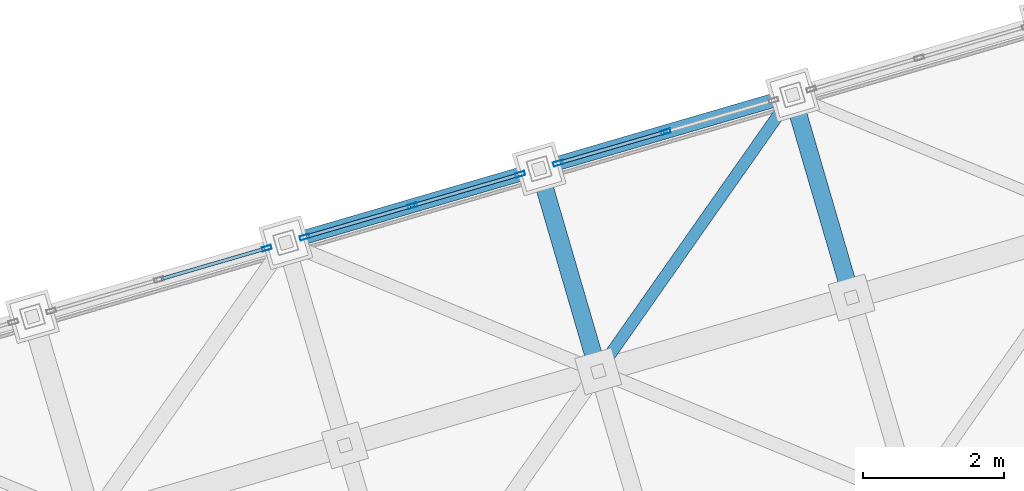
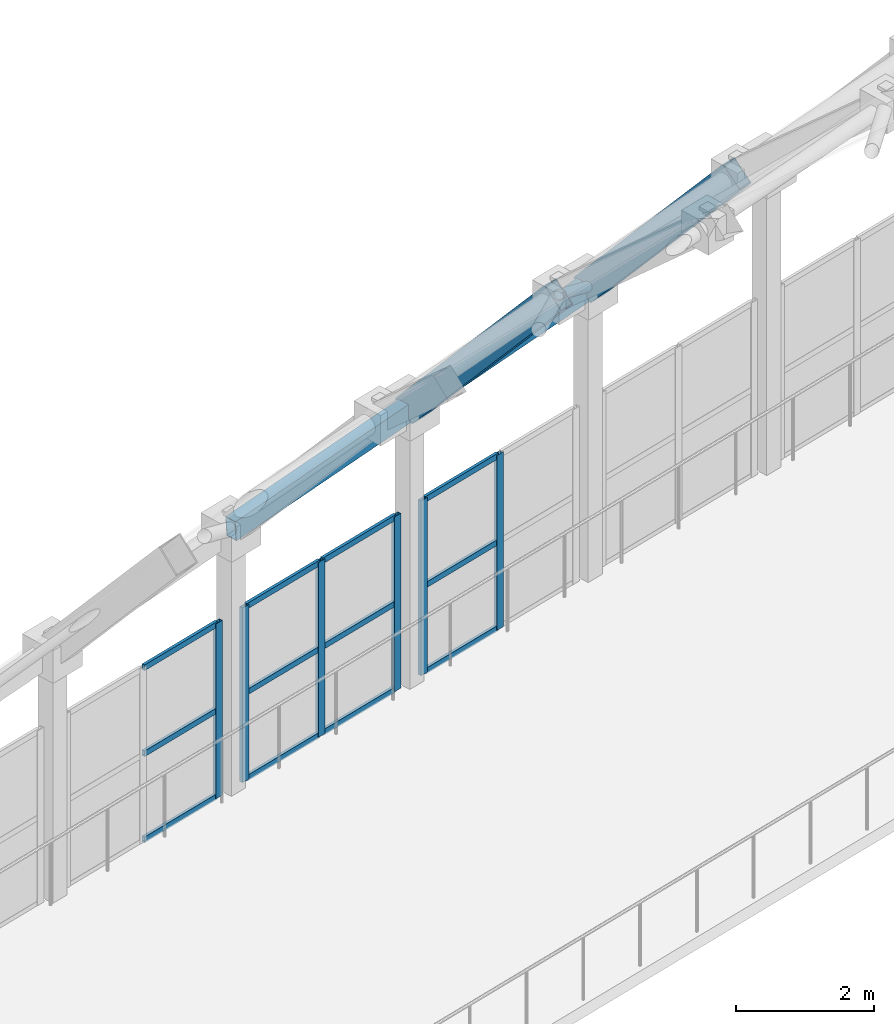
# One storey, part 112 of 248: 19 members, 4 beams, 3 elements without a shape of their own.
"""IFC4 building model written with IfcOpenShell, lengths in metres."""

from ifc_helpers import new_model, si_unit, direction, frame, origin, origin_2d, place, context, subcontext, project, spatial, hollow_rectangle, hollow_circle, extrude, material, layer, layer_set, material_profile, profile_set, type_object, element, aggregate, save


model = new_model("IFC4")

# Units and contexts
model_context = context("Model", 3, precision=1e-05, world=origin(), true_north=direction((0.0, 1.0)))
body_context = subcontext(model_context, "Body", "Model", "MODEL_VIEW")
ifc_project = project(units=[si_unit("LENGTHUNIT", "METRE"), si_unit("AREAUNIT", "SQUARE_METRE"), si_unit("VOLUMEUNIT", "CUBIC_METRE"), si_unit("PLANEANGLEUNIT", "RADIAN"), si_unit("MASSUNIT", "GRAM", prefix="KILO")], contexts=[model_context])

# Site, building, storey
site_placement = place(None, origin())
site = spatial("IfcSite", under=ifc_project, at=site_placement, CompositionType="ELEMENT")
building_placement = place(site_placement, origin())
building = spatial("IfcBuilding", under=site, at=building_placement, Name="Canggui Botanical Conservatory", CompositionType="ELEMENT")
storey_placement = place(building_placement, frame((0.0, 0.0, 5.39990234375)))
storey = spatial("IfcBuildingStorey", under=building, at=storey_placement, Name="L02", CompositionType="ELEMENT", Elevation=5.39990234375)

# Beams
ifc_material_1 = material(Name="Steel Q355C", Category="steel")
ifc_material_profile_1 = material_profile(ifc_material_1, hollow_rectangle(XDim=0.25, YDim=0.449951171875, WallThickness=0.013916015625, at=origin_2d()), Name="RHS 250x450x14")
ifc_profile_set_1 = profile_set([ifc_material_profile_1], Name="Steel Q355C")
beam_type_1 = type_object("IfcBeamType", Name="BM-GJ02", PredefinedType="BEAM", material=ifc_profile_set_1)
for number, where, z_axis, x_axis, name in (
    (1, (30.43994140625, 73.169921875, 8.30615234375), (-0.183510350266, 0.62932314014, -0.755166429755), (-0.960017315421, -0.279940626011, 0.0), "Conservatory Stepped-Arch Rib GJ-06 Segment 10"),
    (2, (34.0400390625, 74.219970703125, 8.55615234375), (-0.183561899057, 0.629316978545, -0.755159036051), (-0.959995442804, -0.2800156242, 0.0), "Conservatory Stepped-Arch Rib GJ-07 Segment 10"),
):
    element("IfcBeam", number, at=place(storey_placement, frame(where, z_axis=z_axis, x_axis=x_axis)), inside=storey, type_object=beam_type_1, Name=name, PredefinedType="BEAM", context=body_context, shape_type="SweptSolid", body=[
        extrude(hollow_rectangle(XDim=0.25, YDim=0.449951171875, WallThickness=0.013916015625, at=origin_2d()), origin(), (0.0, 0.0, 1.0), 4.57666015625),
    ])
ifc_material_profile_2 = material_profile(ifc_material_1, hollow_rectangle(XDim=0.199951171875, YDim=0.35009765625, WallThickness=0.011962890625, at=origin_2d()), Name="RHS 200x350x12")
ifc_profile_set_2 = profile_set([ifc_material_profile_2], Name="Steel Q355C")
beam_type_2 = type_object("IfcBeamType", Name="BM-RING01", PredefinedType="BEAM", material=ifc_profile_set_2)
beam_1_placement = place(storey_placement, frame((26.0, 75.0, 4.60009765625), z_axis=(0.957872417874, 0.27938486839, 0.066517113516), x_axis=(-0.280004999853, 0.959998541695, 0.0)))
element("IfcBeam", 3, at=beam_1_placement, inside=storey, type_object=beam_type_2, Name="Conservatory Perimeter Ring Beam V1-05", PredefinedType="BEAM", context=body_context, shape_type="SweptSolid", body=[
    extrude(hollow_rectangle(XDim=0.199951171875, YDim=0.35009765625, WallThickness=0.011962890625, at=origin_2d()), origin(), (0.0, 0.0, 1.0), 3.758544921875),
])
beam_2_placement = place(storey_placement, frame((29.60009765625, 76.050048828125, 4.85009765625), z_axis=(0.957867059601, 0.279402253194, 0.066521252562), x_axis=(-0.280022500685, 0.959993437014, 0.0)))
element("IfcBeam", 4, at=beam_2_placement, inside=storey, type_object=beam_type_2, Name="Conservatory Perimeter Ring Beam V1-06", PredefinedType="BEAM", context=body_context, shape_type="SweptSolid", body=[
    extrude(hollow_rectangle(XDim=0.199951171875, YDim=0.35009765625, WallThickness=0.011962890625, at=origin_2d()), origin(), (0.0, 0.0, 1.0), 3.75830078125),
])

# Curtain wall, member
ifc_material_2 = material(Name="Thermally Broken Aluminium", Category="aluminium")
ifc_layer = layer(ifc_material_2, 0.135009765625, Name="Thermally Broken Aluminium", Category="aluminium")
ifc_layer_set = layer_set([ifc_layer], Name="Thermally Broken Aluminium")
curtain_wall_type = type_object("IfcCurtainWallType", Name="CW-STICK-A", PredefinedType="USERDEFINED", material=ifc_layer_set)
curtain_wall_1_placement = place(storey_placement, origin())
curtain_wall_1 = element("IfcCurtainWall", 5, at=curtain_wall_1_placement, inside=storey, type_object=curtain_wall_type, Name="Facade Curtain Wall CW-CONS-L02-V1-04", ObjectType="STICK GLAZED WALL", PredefinedType="USERDEFINED")
ifc_material_profile_3 = material_profile(ifc_material_2, hollow_rectangle(XDim=0.06005859375, YDim=0.135009765625, WallThickness=0.00341796875, at=origin_2d()), Name="CWM 60x135x3.5")
ifc_profile_set_3 = profile_set([ifc_material_profile_3], Name="Thermally Broken Aluminium")
member_type_1 = type_object("IfcMemberType", Name="CWM-04", PredefinedType="MULLION", material=ifc_profile_set_3)
member_1_placement = place(storey_placement, frame((25.731201171875, 74.921630859375, 0.0), z_axis=(0.0, 0.0, 1.0), x_axis=(-0.279999999995, 0.960000000002, 0.0)))
member_1 = element("IfcMember", 6, at=member_1_placement, type_object=member_type_1, Name="CW-04 mullion 3", PredefinedType="MULLION", context=body_context, shape_type="SweptSolid", body=[
    extrude(hollow_rectangle(XDim=0.06005859375, YDim=0.135009765625, WallThickness=0.00341796875, at=origin_2d()), origin(), (0.0, 0.0, 1.0), 3.10009765625),
])

# Curtain wall, members
curtain_wall_2_placement = place(storey_placement, origin())
curtain_wall_2 = element("IfcCurtainWall", 7, at=curtain_wall_2_placement, inside=storey, type_object=curtain_wall_type, Name="Facade Curtain Wall CW-CONS-L02-V1-05", ObjectType="STICK GLAZED WALL", PredefinedType="USERDEFINED")
member_2_placement = place(storey_placement, frame((26.268798828125, 75.078369140625, 0.0), z_axis=(0.0, 0.0, 1.0), x_axis=(-0.279999999995, 0.960000000002, 0.0)))
member_2 = element("IfcMember", 8, at=member_2_placement, type_object=member_type_1, Name="CW-04 mullion 1", PredefinedType="MULLION", context=body_context, shape_type="SweptSolid", body=[
    extrude(hollow_rectangle(XDim=0.06005859375, YDim=0.135009765625, WallThickness=0.00341796875, at=origin_2d()), origin(), (0.0, 0.0, 1.0), 3.10009765625),
])
member_3_placement = place(storey_placement, frame((27.800048828125, 75.52490234375, 0.0), z_axis=(0.0, 0.0, 1.0), x_axis=(-0.279999999995, 0.960000000002, 0.0)))
member_3 = element("IfcMember", 9, at=member_3_placement, type_object=member_type_1, Name="CW-04 mullion 2", PredefinedType="MULLION", context=body_context, shape_type="SweptSolid", body=[
    extrude(hollow_rectangle(XDim=0.06005859375, YDim=0.135009765625, WallThickness=0.00341796875, at=origin_2d()), origin(), (0.0, 0.0, 1.0), 3.10009765625),
])
member_4_placement = place(storey_placement, frame((29.331298828125, 75.9716796875, 0.0), z_axis=(0.0, 0.0, 1.0), x_axis=(-0.279999999995, 0.960000000002, 0.0)))
member_4 = element("IfcMember", 10, at=member_4_placement, type_object=member_type_1, Name="CW-04 mullion 3", PredefinedType="MULLION", context=body_context, shape_type="SweptSolid", body=[
    extrude(hollow_rectangle(XDim=0.06005859375, YDim=0.135009765625, WallThickness=0.00341796875, at=origin_2d()), origin(), (0.0, 0.0, 1.0), 3.10009765625),
])

curtain_wall_3_placement = place(storey_placement, origin())
curtain_wall_3 = element("IfcCurtainWall", 11, at=curtain_wall_3_placement, inside=storey, type_object=curtain_wall_type, Name="Facade Curtain Wall CW-CONS-L02-V1-06", ObjectType="STICK GLAZED WALL", PredefinedType="USERDEFINED")
member_5_placement = place(storey_placement, frame((29.868896484375, 76.12841796875, 0.0), z_axis=(0.0, 0.0, 1.0), x_axis=(-0.279999999995, 0.960000000002, 0.0)))
member_5 = element("IfcMember", 12, at=member_5_placement, type_object=member_type_1, Name="CW-04 mullion 1", PredefinedType="MULLION", context=body_context, shape_type="SweptSolid", body=[
    extrude(hollow_rectangle(XDim=0.06005859375, YDim=0.135009765625, WallThickness=0.00341796875, at=origin_2d()), origin(), (0.0, 0.0, 1.0), 3.10009765625),
])
member_6_placement = place(storey_placement, frame((31.39990234375, 76.574951171875, 0.0), z_axis=(0.0, 0.0, 1.0), x_axis=(-0.279999999995, 0.960000000002, 0.0)))
member_6 = element("IfcMember", 13, at=member_6_placement, type_object=member_type_1, Name="CW-04 mullion 2", PredefinedType="MULLION", context=body_context, shape_type="SweptSolid", body=[
    extrude(hollow_rectangle(XDim=0.06005859375, YDim=0.135009765625, WallThickness=0.00341796875, at=origin_2d()), origin(), (0.0, 0.0, 1.0), 3.10009765625),
])

# Member
ifc_material_profile_4 = material_profile(ifc_material_2, hollow_rectangle(XDim=0.050048828125, YDim=0.10009765625, WallThickness=0.0029296875, at=origin_2d()), Name="CWT 50x100x3")
ifc_profile_set_4 = profile_set([ifc_material_profile_4], Name="Thermally Broken Aluminium")
member_type_2 = type_object("IfcMemberType", Name="CWT-04", PredefinedType="USERDEFINED", material=ifc_profile_set_4)
member_7_placement = place(storey_placement, frame((24.228759765625, 74.4833984375, 0.025146484375), z_axis=(0.960021373424, 0.279926709282, 0.0), x_axis=(-0.279926709282, 0.960021373424, 0.0)))
member_7 = element("IfcMember", 14, at=member_7_placement, type_object=member_type_2, Name="CW-04 transom 2.1", ObjectType="TRANSOM", PredefinedType="USERDEFINED", context=body_context, shape_type="SweptSolid", body=[
    extrude(hollow_rectangle(XDim=0.050048828125, YDim=0.10009765625, WallThickness=0.0029296875, at=origin_2d()), origin(), (0.0, 0.0, 1.0), 1.534912109375),
])

member_8_placement = place(storey_placement, frame((24.228759765625, 74.4833984375, 1.550048828125), z_axis=(0.960021373424, 0.279926709282, 0.0), x_axis=(-0.279926709282, 0.960021373424, 0.0)))
member_8 = element("IfcMember", 15, at=member_8_placement, type_object=member_type_2, Name="CW-04 transom 2.2", ObjectType="TRANSOM", PredefinedType="USERDEFINED", context=body_context, shape_type="SweptSolid", body=[
    extrude(hollow_rectangle(XDim=0.050048828125, YDim=0.10009765625, WallThickness=0.0029296875, at=origin_2d()), origin(), (0.0, 0.0, 1.0), 1.534912109375),
])

member_9_placement = place(storey_placement, frame((24.228759765625, 74.4833984375, 3.0751953125), z_axis=(0.960021373424, 0.279926709282, 0.0), x_axis=(-0.279926709282, 0.960021373424, 0.0)))
member_9 = element("IfcMember", 16, at=member_9_placement, type_object=member_type_2, Name="CW-04 transom 2.3", ObjectType="TRANSOM", PredefinedType="USERDEFINED", context=body_context, shape_type="SweptSolid", body=[
    extrude(hollow_rectangle(XDim=0.050048828125, YDim=0.10009765625, WallThickness=0.0029296875, at=origin_2d()), origin(), (0.0, 0.0, 1.0), 1.534912109375),
])

aggregate(curtain_wall_1, [member_1, member_7, member_8, member_9])

member_10_placement = place(storey_placement, frame((26.297607421875, 75.0869140625, 0.025146484375), z_axis=(0.960021373424, 0.279926709282, 0.0), x_axis=(-0.279926709282, 0.960021373424, 0.0)))
member_10 = element("IfcMember", 17, at=member_10_placement, type_object=member_type_2, Name="CW-04 transom 1.1", ObjectType="TRANSOM", PredefinedType="USERDEFINED", context=body_context, shape_type="SweptSolid", body=[
    extrude(hollow_rectangle(XDim=0.050048828125, YDim=0.10009765625, WallThickness=0.0029296875, at=origin_2d()), origin(), (0.0, 0.0, 1.0), 1.534912109375),
])

member_11_placement = place(storey_placement, frame((26.297607421875, 75.0869140625, 1.550048828125), z_axis=(0.960021373424, 0.279926709282, 0.0), x_axis=(-0.279926709282, 0.960021373424, 0.0)))
member_11 = element("IfcMember", 18, at=member_11_placement, type_object=member_type_2, Name="CW-04 transom 1.2", ObjectType="TRANSOM", PredefinedType="USERDEFINED", context=body_context, shape_type="SweptSolid", body=[
    extrude(hollow_rectangle(XDim=0.050048828125, YDim=0.10009765625, WallThickness=0.0029296875, at=origin_2d()), origin(), (0.0, 0.0, 1.0), 1.534912109375),
])

member_12_placement = place(storey_placement, frame((26.297607421875, 75.0869140625, 3.0751953125), z_axis=(0.960021373424, 0.279926709282, 0.0), x_axis=(-0.279926709282, 0.960021373424, 0.0)))
member_12 = element("IfcMember", 19, at=member_12_placement, type_object=member_type_2, Name="CW-04 transom 1.3", ObjectType="TRANSOM", PredefinedType="USERDEFINED", context=body_context, shape_type="SweptSolid", body=[
    extrude(hollow_rectangle(XDim=0.050048828125, YDim=0.10009765625, WallThickness=0.0029296875, at=origin_2d()), origin(), (0.0, 0.0, 1.0), 1.534912109375),
])

member_13_placement = place(storey_placement, frame((27.828857421875, 75.533447265625, 0.025146484375), z_axis=(0.960021373424, 0.279926709282, 0.0), x_axis=(-0.279926709282, 0.960021373424, 0.0)))
member_13 = element("IfcMember", 20, at=member_13_placement, type_object=member_type_2, Name="CW-04 transom 2.1", ObjectType="TRANSOM", PredefinedType="USERDEFINED", context=body_context, shape_type="SweptSolid", body=[
    extrude(hollow_rectangle(XDim=0.050048828125, YDim=0.10009765625, WallThickness=0.0029296875, at=origin_2d()), origin(), (0.0, 0.0, 1.0), 1.534912109375),
])

member_14_placement = place(storey_placement, frame((27.828857421875, 75.533447265625, 1.550048828125), z_axis=(0.960021373424, 0.279926709282, 0.0), x_axis=(-0.279926709282, 0.960021373424, 0.0)))
member_14 = element("IfcMember", 21, at=member_14_placement, type_object=member_type_2, Name="CW-04 transom 2.2", ObjectType="TRANSOM", PredefinedType="USERDEFINED", context=body_context, shape_type="SweptSolid", body=[
    extrude(hollow_rectangle(XDim=0.050048828125, YDim=0.10009765625, WallThickness=0.0029296875, at=origin_2d()), origin(), (0.0, 0.0, 1.0), 1.534912109375),
])

member_15_placement = place(storey_placement, frame((27.828857421875, 75.533447265625, 3.0751953125), z_axis=(0.960021373424, 0.279926709282, 0.0), x_axis=(-0.279926709282, 0.960021373424, 0.0)))
member_15 = element("IfcMember", 22, at=member_15_placement, type_object=member_type_2, Name="CW-04 transom 2.3", ObjectType="TRANSOM", PredefinedType="USERDEFINED", context=body_context, shape_type="SweptSolid", body=[
    extrude(hollow_rectangle(XDim=0.050048828125, YDim=0.10009765625, WallThickness=0.0029296875, at=origin_2d()), origin(), (0.0, 0.0, 1.0), 1.534912109375),
])

aggregate(curtain_wall_2, [member_2, member_3, member_4, member_10, member_11, member_12, member_13, member_14, member_15])

member_16_placement = place(storey_placement, frame((29.897705078125, 76.13671875, 0.025146484375), z_axis=(0.95996614364, 0.28011605285, 0.0), x_axis=(-0.28011605285, 0.95996614364, 0.0)))
member_16 = element("IfcMember", 23, at=member_16_placement, type_object=member_type_2, Name="CW-04 transom 1.1", ObjectType="TRANSOM", PredefinedType="USERDEFINED", context=body_context, shape_type="SweptSolid", body=[
    extrude(hollow_rectangle(XDim=0.050048828125, YDim=0.10009765625, WallThickness=0.0029296875, at=origin_2d()), origin(), (0.0, 0.0, 1.0), 1.534912109375),
])

member_17_placement = place(storey_placement, frame((29.897705078125, 76.13671875, 1.550048828125), z_axis=(0.95996614364, 0.28011605285, 0.0), x_axis=(-0.28011605285, 0.95996614364, 0.0)))
member_17 = element("IfcMember", 24, at=member_17_placement, type_object=member_type_2, Name="CW-04 transom 1.2", ObjectType="TRANSOM", PredefinedType="USERDEFINED", context=body_context, shape_type="SweptSolid", body=[
    extrude(hollow_rectangle(XDim=0.050048828125, YDim=0.10009765625, WallThickness=0.0029296875, at=origin_2d()), origin(), (0.0, 0.0, 1.0), 1.534912109375),
])

member_18_placement = place(storey_placement, frame((29.897705078125, 76.13671875, 3.0751953125), z_axis=(0.95996614364, 0.28011605285, 0.0), x_axis=(-0.28011605285, 0.95996614364, 0.0)))
member_18 = element("IfcMember", 25, at=member_18_placement, type_object=member_type_2, Name="CW-04 transom 1.3", ObjectType="TRANSOM", PredefinedType="USERDEFINED", context=body_context, shape_type="SweptSolid", body=[
    extrude(hollow_rectangle(XDim=0.050048828125, YDim=0.10009765625, WallThickness=0.0029296875, at=origin_2d()), origin(), (0.0, 0.0, 1.0), 1.534912109375),
])

aggregate(curtain_wall_3, [member_5, member_6, member_16, member_17, member_18])

ifc_material_profile_5 = material_profile(ifc_material_1, hollow_circle(Radius=0.083984375, WallThickness=0.008056640625, at=origin_2d()), Name="CHS 168x8")
ifc_profile_set_5 = profile_set([ifc_material_profile_5], Name="Steel Q355C")
member_type_3 = type_object("IfcMemberType", Name="MEM-GSD03", PredefinedType="RAFTER", material=ifc_profile_set_5)
member_19_placement = place(storey_placement, frame((30.43994140625, 73.169921875, 8.30615234375), z_axis=(0.477980403404, 0.680630564706, -0.555226772004), x_axis=(-0.818361645525, 0.574703590674, 0.0)))
element("IfcMember", 26, at=member_19_placement, inside=storey, type_object=member_type_3, Name="Conservatory Gridshell Diagrid Rafter 6-10", PredefinedType="RAFTER", context=body_context, shape_type="SweptSolid", body=[
    extrude(hollow_circle(Radius=0.083984375, WallThickness=0.008056640625, at=origin_2d()), origin(), (0.0, 0.0, 1.0), 5.7744140625),
])

save(model, "model.ifc")
